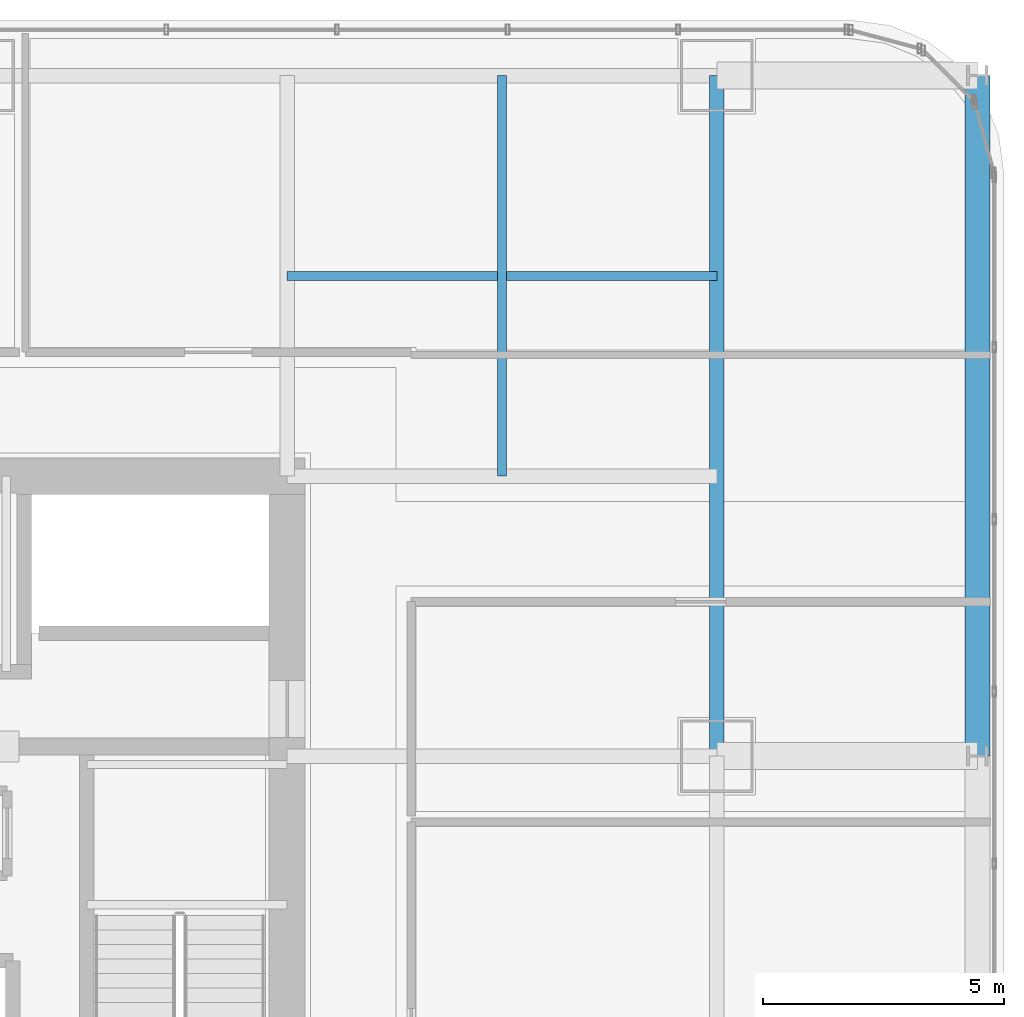
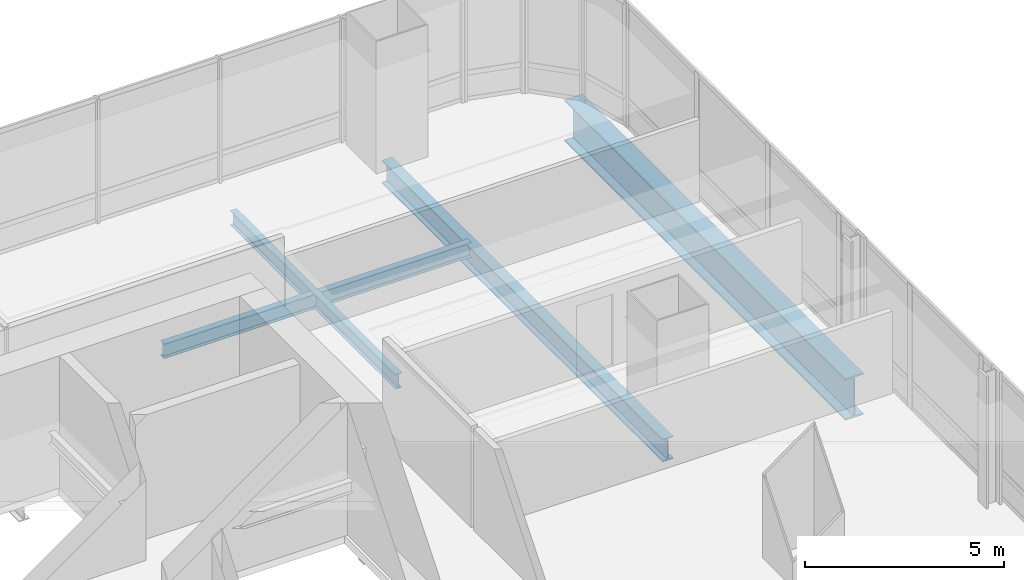
# One storey, part 23 of 35: 4 beams.
"""IFC4 building model written with IfcOpenShell, lengths in metres."""

from ifc_helpers import new_model, si_unit, direction, frame, origin, origin_2d, place, context, subcontext, project, spatial, i_section, extrude, material, material_profile, profile_set, type_object, element, save


model = new_model("IFC4")

# Units and contexts
model_context = context("Model", 3, precision=1e-05, world=origin(), true_north=direction((0.0, 1.0)))
body_context = subcontext(model_context, "Body", "Model", "MODEL_VIEW")
ifc_project = project(units=[si_unit("LENGTHUNIT", "METRE"), si_unit("AREAUNIT", "SQUARE_METRE"), si_unit("VOLUMEUNIT", "CUBIC_METRE"), si_unit("PLANEANGLEUNIT", "RADIAN"), si_unit("MASSUNIT", "GRAM", prefix="KILO")], contexts=[model_context])

# Site, building, storey
site_placement = place(None, origin())
site = spatial("IfcSite", under=ifc_project, at=site_placement, CompositionType="ELEMENT")
building_placement = place(site_placement, origin())
building = spatial("IfcBuilding", under=site, at=building_placement, Name="Punatoya Terracotta Tower", CompositionType="ELEMENT")
storey_placement = place(building_placement, frame((0.0, 0.0, 64.64990234375)))
storey = spatial("IfcBuildingStorey", under=building, at=storey_placement, Name="L14", CompositionType="ELEMENT", Elevation=64.64990234375)

# Beams
ifc_material_1 = material(Name="Steel S355", Category="steel")
ifc_material_profile_1 = material_profile(ifc_material_1, i_section(OverallWidth=0.300048828125, OverallDepth=0.699951171875, WebThickness=0.01708984375, FlangeThickness=0.031982421875, FilletRadius=0.01806640625, at=origin_2d()))
ifc_profile_set_1 = profile_set([ifc_material_profile_1], Name="Steel S355")
beam_type_1 = type_object("IfcBeamType", Name="BM-PRI-700", PredefinedType="BEAM", material=ifc_profile_set_1)
beam_1_placement = place(storey_placement, frame((19.10009765625, 3.39990234375, -0.58984375), z_axis=(0.0, 1.0, 0.0), x_axis=(-1.0, 0.0, 0.0)))
element("IfcBeam", 1, at=beam_1_placement, inside=storey, type_object=beam_type_1, Name="BM-L14-RG-E3", PredefinedType="BEAM", context=body_context, shape_type="SweptSolid", body=[
    extrude(i_section(OverallWidth=0.300048828125, OverallDepth=0.699951171875, WebThickness=0.01708984375, FlangeThickness=0.031982421875, FilletRadius=0.01806640625, at=origin_2d()), origin(), (0.0, 0.0, 1.0), 14.10009765625),
])
ifc_material_profile_2 = material_profile(ifc_material_1, i_section(OverallWidth=0.18994140625, OverallDepth=0.449951171875, WebThickness=0.009521484375, FlangeThickness=0.0146484375, FilletRadius=0.01806640625, at=origin_2d()))
ifc_profile_set_2 = profile_set([ifc_material_profile_2], Name="Steel S355")
beam_type_2 = type_object("IfcBeamType", Name="BM-SEC-450", PredefinedType="JOIST", material=ifc_profile_set_2)
beam_2_placement = place(storey_placement, frame((10.199951171875, 13.35009765625, -0.46484375), z_axis=(1.0, 0.0, 0.0), x_axis=(0.0, 1.0, 0.0)))
element("IfcBeam", 2, at=beam_2_placement, inside=storey, type_object=beam_type_2, Name="BM-L14-SJN-2", PredefinedType="JOIST", context=body_context, shape_type="SweptSolid", body=[
    extrude(i_section(OverallWidth=0.18994140625, OverallDepth=0.449951171875, WebThickness=0.009521484375, FlangeThickness=0.0146484375, FilletRadius=0.01806640625, at=origin_2d()), origin(), (0.0, 0.0, 1.0), 8.900146484375),
])
beam_3_placement = place(storey_placement, frame((14.64990234375, 9.199951171875, -0.46484375), z_axis=(0.0, 1.0, 0.0), x_axis=(-1.0, 0.0, 0.0)))
element("IfcBeam", 3, at=beam_3_placement, inside=storey, type_object=beam_type_2, Name="BM-L14-SJE-2", PredefinedType="JOIST", context=body_context, shape_type="SweptSolid", body=[
    extrude(i_section(OverallWidth=0.18994140625, OverallDepth=0.449951171875, WebThickness=0.009521484375, FlangeThickness=0.0146484375, FilletRadius=0.01806640625, at=origin_2d()), origin(), (0.0, 0.0, 1.0), 8.300048828125),
])
ifc_material_2 = material(Name="Steel S460", Category="steel")
ifc_material_profile_3 = material_profile(ifc_material_2, i_section(OverallWidth=0.52001953125, OverallDepth=1.280029296875, WebThickness=0.031982421875, FlangeThickness=0.050048828125, FilletRadius=0.01806640625, at=origin_2d()))
ifc_profile_set_3 = profile_set([ifc_material_profile_3], Name="Steel S460")
beam_type_3 = type_object("IfcBeamType", Name="BM-TG-NCK", PredefinedType="BEAM", material=ifc_profile_set_3)
beam_4_placement = place(storey_placement, frame((24.5, 3.39990234375, -0.8798828125), z_axis=(0.0, 1.0, 0.0), x_axis=(-1.0, 0.0, 0.0)))
element("IfcBeam", 4, at=beam_4_placement, inside=storey, type_object=beam_type_3, Name="BM-L14-PER-E3", PredefinedType="BEAM", context=body_context, shape_type="SweptSolid", body=[
    extrude(i_section(OverallWidth=0.52001953125, OverallDepth=1.280029296875, WebThickness=0.031982421875, FlangeThickness=0.050048828125, FilletRadius=0.01806640625, at=origin_2d()), origin(), (0.0, 0.0, 1.0), 14.10009765625),
])

save(model, "model.ifc")
